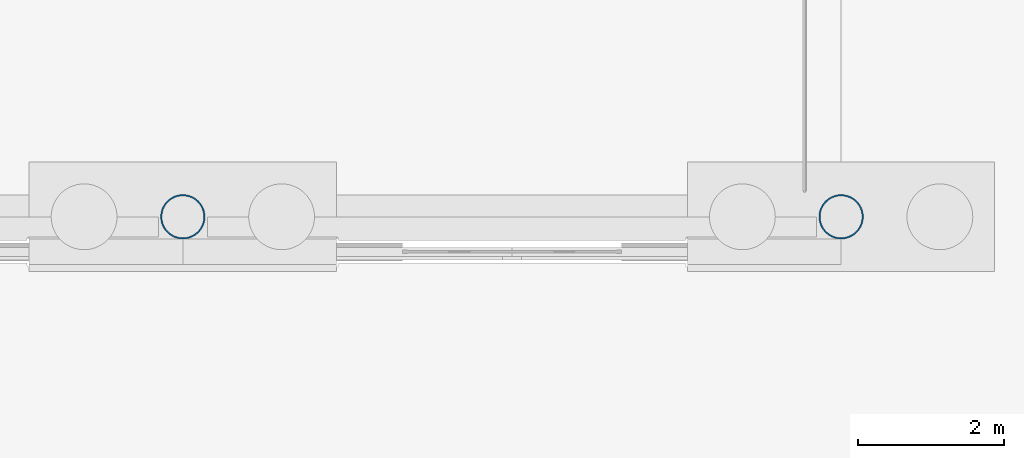
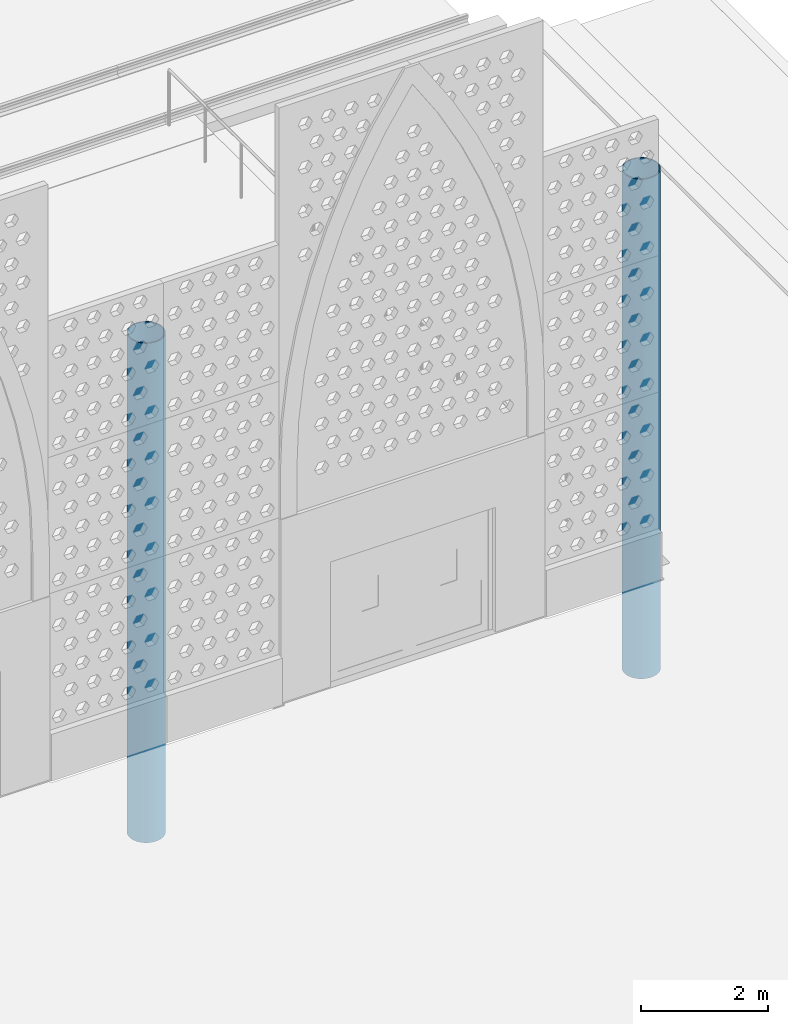
# One storey, part 22 of 250: 2 columns.
"""IFC4 building model written with IfcOpenShell, lengths in metres."""

from ifc_helpers import new_model, si_unit, direction, frame, origin, origin_2d, place, context, subcontext, project, spatial, hollow_circle, extrude, material, material_profile, profile_set, type_object, element, save


model = new_model("IFC4")

# Units and contexts
model_context = context("Model", 3, precision=1e-05, world=origin(), true_north=direction((0.0, 1.0)))
body_context = subcontext(model_context, "Body", "Model", "MODEL_VIEW")
ifc_project = project(units=[si_unit("LENGTHUNIT", "METRE"), si_unit("AREAUNIT", "SQUARE_METRE"), si_unit("VOLUMEUNIT", "CUBIC_METRE"), si_unit("PLANEANGLEUNIT", "RADIAN"), si_unit("MASSUNIT", "GRAM", prefix="KILO")], contexts=[model_context])

# Site, building, storey
site_placement = place(None, origin())
site = spatial("IfcSite", under=ifc_project, at=site_placement, CompositionType="ELEMENT")
building_placement = place(site_placement, origin())
building = spatial("IfcBuilding", under=site, at=building_placement, Name="Baradari Gate Terminus", CompositionType="ELEMENT")
storey_placement = place(building_placement, origin())
storey = spatial("IfcBuildingStorey", under=building, at=storey_placement, Name="L00", CompositionType="ELEMENT", Elevation=0.0)

# Columns
ifc_material = material(Name="Steel S355", Category="steel")
ifc_material_profile = material_profile(ifc_material, hollow_circle(Radius=0.304931640625, WallThickness=0.02001953125, at=origin_2d()), Name="CHS 610x20")
ifc_profile_set = profile_set([ifc_material_profile], Name="Steel S355")
column_type = type_object("IfcColumnType", Name="Braced shed column C09 CHS 610x20", PredefinedType="COLUMN", material=ifc_profile_set)
for number, where, z_axis, x_axis, name in (
    (1, (234.0, 36.0, -2.10009765625), (0.0, 0.0, 1.0), (1.0, 0.0, 0.0), "C09 column 27-E L00"),
    (2, (243.0, 36.0, -2.10009765625), (0.0, 0.0, 1.0), (1.0, 0.0, 0.0), "C09 column 28-E L00"),
):
    element("IfcColumn", number, at=place(storey_placement, frame(where, z_axis=z_axis, x_axis=x_axis)), inside=storey, type_object=column_type, Name=name, PredefinedType="COLUMN", context=body_context, shape_type="SweptSolid", body=[
        extrude(hollow_circle(Radius=0.304931640625, WallThickness=0.02001953125, at=origin_2d()), origin(), (0.0, 0.0, 1.0), 9.60009765625),
    ])

save(model, "model.ifc")
